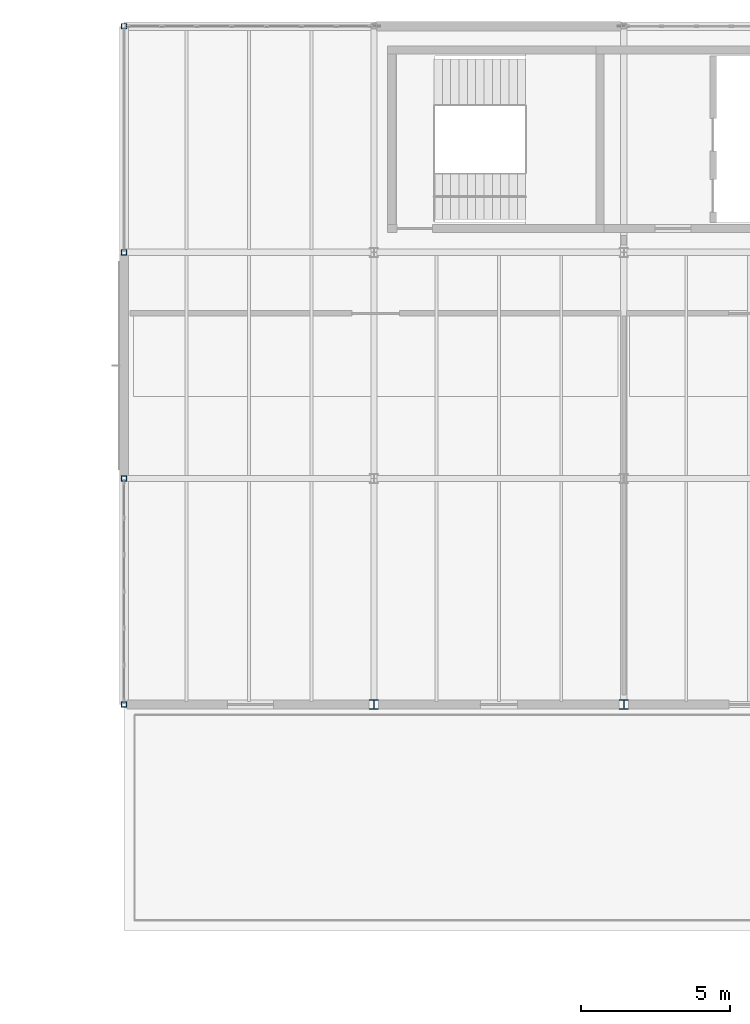
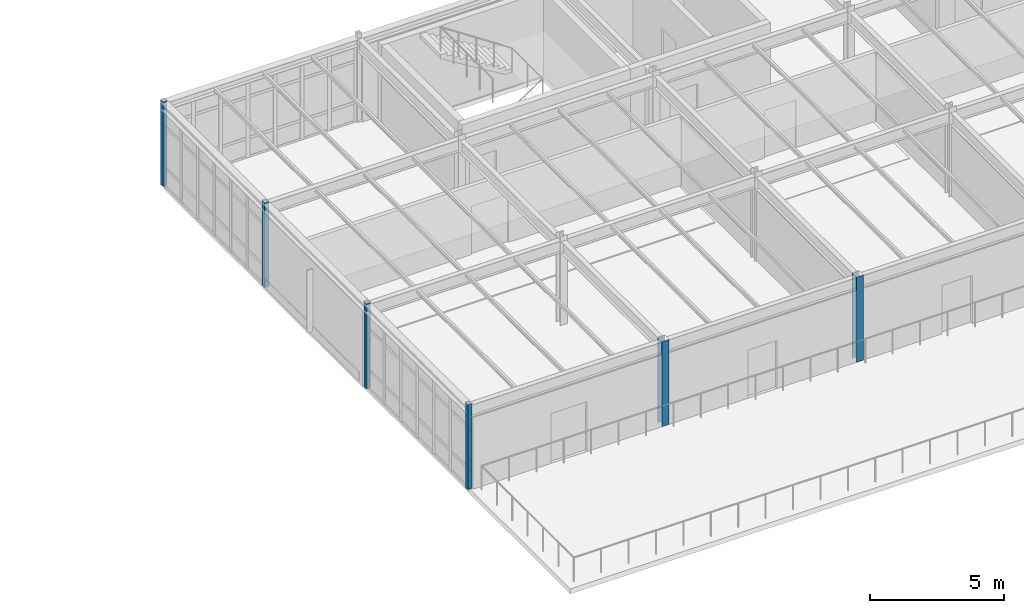
# One storey, part 3 of 65: 6 columns.
"""IFC4 building model written with IfcOpenShell, lengths in metres."""

from ifc_helpers import new_model, si_unit, direction, frame, origin, origin_2d, place, context, subcontext, project, spatial, hollow_rectangle, i_section, extrude, material, material_profile, profile_set, type_object, element, save


model = new_model("IFC4")

# Units and contexts
model_context = context("Model", 3, precision=1e-05, world=origin(), true_north=direction((0.0, 1.0)))
body_context = subcontext(model_context, "Body", "Model", "MODEL_VIEW")
ifc_project = project(units=[si_unit("LENGTHUNIT", "METRE"), si_unit("AREAUNIT", "SQUARE_METRE"), si_unit("VOLUMEUNIT", "CUBIC_METRE"), si_unit("PLANEANGLEUNIT", "RADIAN"), si_unit("MASSUNIT", "GRAM", prefix="KILO")], contexts=[model_context])

# Site, building, storey
site_placement = place(None, origin())
site = spatial("IfcSite", under=ifc_project, at=site_placement, CompositionType="ELEMENT")
building_placement = place(site_placement, origin())
building = spatial("IfcBuilding", under=site, at=building_placement, Name="Montecoro Central Library", CompositionType="ELEMENT")
storey_placement = place(building_placement, frame((0.0, 0.0, 17.340087890625)))
storey = spatial("IfcBuildingStorey", under=building, at=storey_placement, Name="L04", CompositionType="ELEMENT", Elevation=17.340087890625)

# Columns
ifc_material = material(Name="Steel S355", Category="steel")
ifc_material_profile_1 = material_profile(ifc_material, i_section(OverallWidth=0.300048828125, OverallDepth=0.320068359375, WebThickness=0.011474609375, FlangeThickness=0.0205078125, at=origin_2d()), Name="HEB 320")
ifc_profile_set_1 = profile_set([ifc_material_profile_1], Name="Steel S355")
column_type_1 = type_object("IfcColumnType", Name="COL-HEB320", PredefinedType="COLUMN", material=ifc_profile_set_1)
for number, where, z_axis, x_axis, name in (
    (1, (74.800048828125, 96.199951171875, 0.0), (0.0, 0.0, 1.0), (1.0, 0.0, 0.0), "V2-L04-COL-10-N"),
    (2, (83.199951171875, 96.199951171875, 0.0), (0.0, 0.0, 1.0), (1.0, 0.0, 0.0), "V2-L04-COL-11-N"),
):
    element("IfcColumn", number, at=place(storey_placement, frame(where, z_axis=z_axis, x_axis=x_axis)), inside=storey, type_object=column_type_1, Name=name, PredefinedType="COLUMN", context=body_context, shape_type="SweptSolid", body=[
        extrude(i_section(OverallWidth=0.300048828125, OverallDepth=0.320068359375, WebThickness=0.011474609375, FlangeThickness=0.0205078125, at=origin_2d()), origin(), (0.0, 0.0, 1.0), 3.875),
    ])
ifc_material_profile_2 = material_profile(ifc_material, hollow_rectangle(XDim=0.179931640625, YDim=0.179931640625, WallThickness=0.010009765625, at=origin_2d()), Name="SHS 180x180x10.0")
ifc_profile_set_2 = profile_set([ifc_material_profile_2], Name="Steel S355")
column_type_2 = type_object("IfcColumnType", Name="COL-SHS180", PredefinedType="COLUMN", material=ifc_profile_set_2)
for number, where, z_axis, x_axis, name in (
    (3, (66.39990234375, 96.199951171875, 0.0), (0.0, 0.0, 1.0), (1.0, 0.0, 0.0), "V2-L04-COL-9-N"),
    (4, (66.39990234375, 103.800048828125, 0.0), (0.0, 0.0, 1.0), (1.0, 0.0, 0.0), "V2-L04-COL-9-P"),
    (5, (66.39990234375, 111.39990234375, 0.0), (0.0, 0.0, 1.0), (1.0, 0.0, 0.0), "V2-L04-COL-9-Q"),
    (6, (66.39990234375, 119.0, 0.0), (0.0, 0.0, 1.0), (1.0, 0.0, 0.0), "V2-L04-COL-9-R"),
):
    element("IfcColumn", number, at=place(storey_placement, frame(where, z_axis=z_axis, x_axis=x_axis)), inside=storey, type_object=column_type_2, Name=name, PredefinedType="COLUMN", context=body_context, shape_type="SweptSolid", body=[
        extrude(hollow_rectangle(XDim=0.179931640625, YDim=0.179931640625, WallThickness=0.010009765625, at=origin_2d()), origin(), (0.0, 0.0, 1.0), 3.875),
    ])

save(model, "model.ifc")
